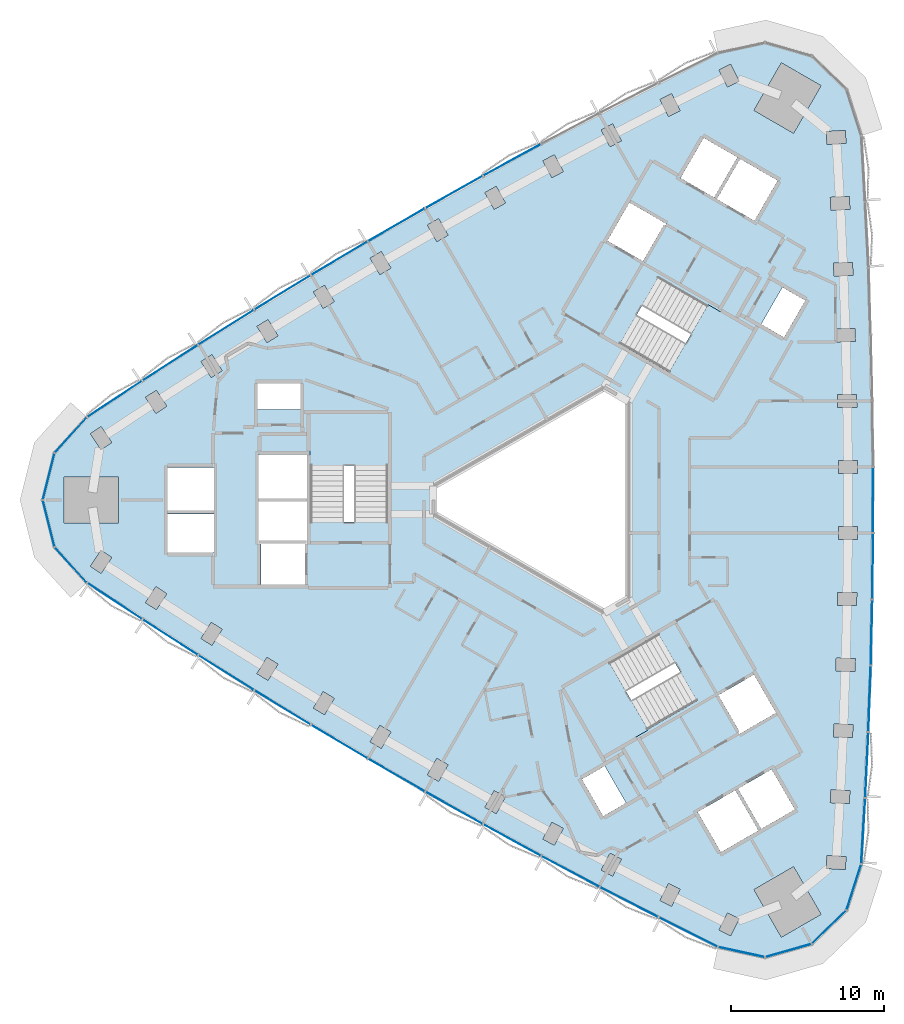
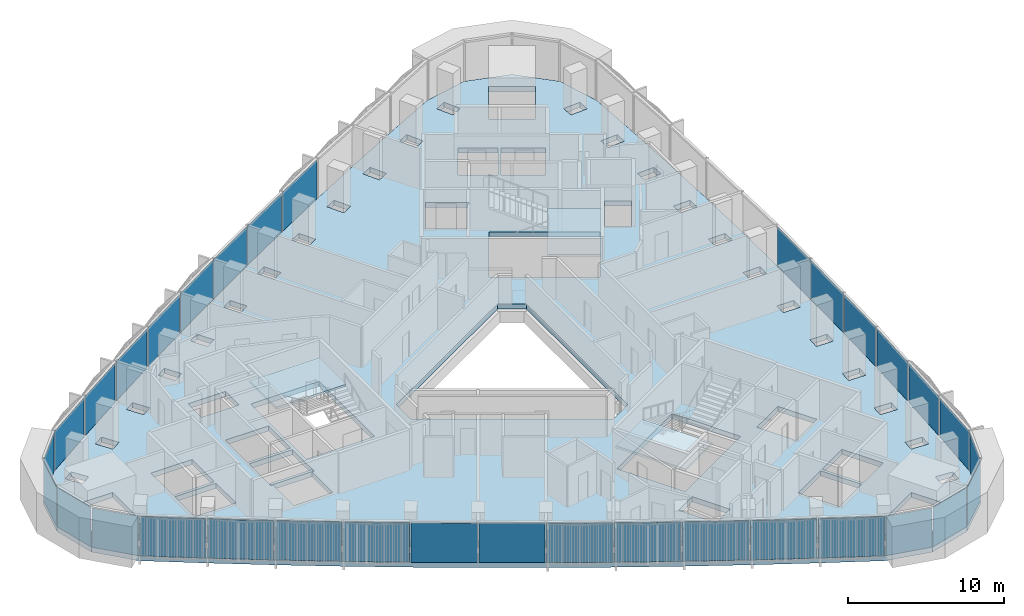
# One storey, part 6 of 15: 33 plates, 4 slabs, 6 elements without a shape of their own.
"""IFC4 building model written with IfcOpenShell, lengths in metres."""

from ifc_helpers import new_model, si_unit, direction, frame, origin, origin_2d, place, context, subcontext, project, spatial, polyline, rectangle, outline, extrude, material, layer, layer_set, type_object, element, aggregate, save


model = new_model("IFC4")

# Units and contexts
model_context = context("Model", 3, precision=1e-05, world=origin(), true_north=direction((0.0, 1.0)))
body_context = subcontext(model_context, "Body", "Model", "MODEL_VIEW")
ifc_project = project(units=[si_unit("LENGTHUNIT", "METRE"), si_unit("AREAUNIT", "SQUARE_METRE"), si_unit("VOLUMEUNIT", "CUBIC_METRE"), si_unit("PLANEANGLEUNIT", "RADIAN"), si_unit("MASSUNIT", "GRAM", prefix="KILO")], contexts=[model_context])

# Site, building, storey
site_placement = place(None, origin())
site = spatial("IfcSite", under=ifc_project, at=site_placement, CompositionType="ELEMENT")
building_placement = place(site_placement, origin())
building = spatial("IfcBuilding", under=site, at=building_placement, Name="Tamra Quay Hotel Tower", CompositionType="ELEMENT")
storey_placement = place(building_placement, frame((0.0, 0.0, 136.0)))
storey = spatial("IfcBuildingStorey", under=building, at=storey_placement, Name="L33", CompositionType="ELEMENT", Elevation=136.0)

# Stair, slab
ifc_material_1 = material(Name="Exit stair 2200 24 risers 150.0 going 342")
stair_type = type_object("IfcStairType", Name="Exit stair 2200 24 risers 150.0 going 342", PredefinedType="HALF_TURN_STAIR", material=ifc_material_1)
stair_1_placement = place(storey_placement, origin())
stair_1 = element("IfcStair", 1, at=stair_1_placement, inside=storey, type_object=stair_type, Name="L33 Exit stair ST3", PredefinedType="HALF_TURN_STAIR")
ifc_material_2 = material(Name="Concrete M70", Category="concrete")
ifc_layer_1 = layer(ifc_material_2, 0.175048828125)
ifc_layer_set_1 = layer_set([ifc_layer_1], Name="Concrete M70 stair landing 180")
slab_type_1 = type_object("IfcSlabType", Name="Concrete M70 stair landing 180", PredefinedType="LANDING", material=ifc_layer_set_1)
slab_1_placement = place(storey_placement, frame((0.0, 0.0, 1.625)))
slab_1 = element("IfcSlab", 2, at=slab_1_placement, type_object=slab_type_1, Name="ST3 landing 1", PredefinedType="LANDING", context=body_context, shape_type="SweptSolid", body=[
    extrude(outline(polyline([(-10.932373046875, 2.261962890625), (-10.932373046875, 5.679931640625), (-16.09130859375, 5.679931640625), (-16.09130859375, 2.261962890625), (-10.932373046875, 2.261962890625)])), origin(), (0.0, 0.0, 1.0), 0.175048828125),
])
aggregate(stair_1, [slab_1])

stair_2_placement = place(storey_placement, origin())
stair_2 = element("IfcStair", 3, at=stair_2_placement, inside=storey, type_object=stair_type, Name="L33 Exit stair ST1", PredefinedType="HALF_TURN_STAIR")
slab_2_placement = place(storey_placement, frame((0.0, 0.0, 1.625)))
slab_2 = element("IfcSlab", 4, at=slab_2_placement, type_object=slab_type_1, Name="ST1 landing 1", PredefinedType="LANDING", context=body_context, shape_type="SweptSolid", body=[
    extrude(outline(polyline([(7.425048828125, 8.336669921875), (10.385009765625, 6.627685546875), (12.964599609375, 11.095458984375), (10.00439453125, 12.804443359375), (7.425048828125, 8.336669921875)])), origin(), (0.0, 0.0, 1.0), 0.175048828125),
])
aggregate(stair_2, [slab_2])

stair_3_placement = place(storey_placement, origin())
stair_3 = element("IfcStair", 5, at=stair_3_placement, inside=storey, type_object=stair_type, Name="L33 Exit stair ST2", PredefinedType="HALF_TURN_STAIR")
slab_3_placement = place(storey_placement, frame((0.0, 0.0, 1.625)))
slab_3 = element("IfcSlab", 6, at=slab_3_placement, type_object=slab_type_1, Name="ST2 landing 1", PredefinedType="LANDING", context=body_context, shape_type="SweptSolid", body=[
    extrude(outline(polyline([(3.50732421875, -10.5986328125), (0.547119140625, -12.3076171875), (3.126708984375, -16.775390625), (6.086669921875, -15.06640625), (3.50732421875, -10.5986328125)])), origin(), (0.0, 0.0, 1.0), 0.175048828125),
])
aggregate(stair_3, [slab_3])

# Slab
ifc_material_3 = material(Name="Concrete M60", Category="concrete")
ifc_layer_2 = layer(ifc_material_3, 0.39990234375)
ifc_layer_set_2 = layer_set([ifc_layer_2], Name="FLOOR SLAB PT 400")
slab_type_2 = type_object("IfcSlabType", Name="FLOOR SLAB PT 400", PredefinedType="FLOOR", material=ifc_layer_set_2)
slab_4_placement = place(storey_placement, frame((0.0, 0.0, -0.39990234375)))
element("IfcSlab", 7, at=slab_4_placement, inside=storey, type_object=slab_type_2, Name="SLAB-L33", PredefinedType="FLOOR", context=body_context, shape_type="SweptSolid", body=[
    extrude(outline(polyline([(20.301025390625, 19.53076171875), (20.50830078125, 15.19384765625), (20.6640625, 10.85400390625), (20.767822265625, 6.5126953125), (20.81982421875, 2.17138671875), (20.81982421875, -2.17138671875), (20.767822265625, -6.5126953125), (20.6640625, -10.85400390625), (20.50830078125, -15.19384765625), (20.301025390625, -19.53076171875), (20.0419921875, -23.864990234375), (19.072265625, -26.883544921875), (16.794189453125, -29.088134765625), (13.74560546875, -29.958740234375), (10.646728515625, -29.28955078125), (6.763427734375, -27.3466796875), (2.904052734375, -25.35791015625), (-0.93212890625, -23.32275390625), (-4.74365234375, -21.24169921875), (-8.529541015625, -19.1162109375), (-12.290283203125, -16.94482421875), (-16.024169921875, -14.72900390625), (-19.73193359375, -12.468505859375), (-23.41259765625, -10.163818359375), (-27.064697265625, -7.81591796875), (-30.688720703125, -5.42431640625), (-32.81787109375, -3.0751953125), (-33.588134765625, 0.0), (-32.81787109375, 3.0751953125), (-30.688720703125, 5.42431640625), (-27.064697265625, 7.81591796875), (-23.41259765625, 10.163818359375), (-19.73193359375, 12.468505859375), (-16.024169921875, 14.72900390625), (-12.290283203125, 16.94482421875), (-8.529541015625, 19.1162109375), (-4.74365234375, 21.24169921875), (-0.93212890625, 23.32275390625), (2.904052734375, 25.35791015625), (6.763427734375, 27.3466796875), (10.646728515625, 29.28955078125), (13.74560546875, 29.958740234375), (16.794189453125, 29.088134765625), (19.072265625, 26.883544921875), (20.0419921875, 23.864990234375), (20.301025390625, 19.53076171875)]), holes=[polyline([(-12.1396484375, -15.846435546875), (-11.406005859375, -16.27587890625), (-10.7744140625, -15.197265625), (-11.5078125, -14.767578125), (-12.1396484375, -15.846435546875)]), polyline([(-15.216796875, -12.561279296875), (-15.86083984375, -13.632568359375), (-15.13232421875, -14.0703125), (-14.48828125, -12.9990234375), (-15.216796875, -12.561279296875)]), polyline([(-18.898193359375, -10.310791015625), (-19.55517578125, -11.3740234375), (-18.83203125, -11.82080078125), (-18.175048828125, -10.757568359375), (-18.898193359375, -10.310791015625)]), polyline([(-22.55224609375, -8.016357421875), (-23.222412109375, -9.071533203125), (-22.5048828125, -9.527099609375), (-21.834716796875, -8.471923828125), (-22.55224609375, -8.016357421875)]), polyline([(-26.179931640625, -5.678466796875), (-26.862060546875, -6.725830078125), (-26.149658203125, -7.189697265625), (-25.467529296875, -6.142333984375), (-26.179931640625, -5.678466796875)]), polyline([(-16.3173828125, -2.85498046875), (-19.4072265625, -2.85498046875), (-19.4072265625, -2.89306640625), (-19.307373046875, -2.89306640625), (-19.307373046875, -5.544921875), (-16.417236328125, -5.544921875), (-16.417236328125, -2.89306640625), (-16.3173828125, -2.89306640625), (-16.3173828125, -2.85498046875)]), polyline([(-29.77880859375, -3.297607421875), (-30.473388671875, -4.3369140625), (-29.7666015625, -4.80908203125), (-29.072021484375, -3.77001953125), (-29.77880859375, -3.297607421875)]), polyline([(-22.3671875, -0.905029296875), (-25.4072265625, -0.905029296875), (-25.4072265625, -3.445068359375), (-22.3671875, -3.445068359375), (-22.3671875, -0.905029296875)]), polyline([(-19.417236328125, -2.89306640625), (-19.417236328125, -2.64501953125), (-16.307373046875, -2.64501953125), (-16.307373046875, -2.89306640625), (-16.26708984375, -2.89306640625), (-16.26708984375, -0.10498046875), (-19.45751953125, -0.10498046875), (-19.45751953125, -2.89306640625), (-19.417236328125, -2.89306640625)]), polyline([(-28.6142578125, 1.5), (-32.214111328125, 1.5), (-32.214111328125, -1.5), (-28.6142578125, -1.5), (-28.6142578125, 1.5)]), polyline([(-25.4072265625, -0.695068359375), (-22.3671875, -0.695068359375), (-22.3671875, 2.14501953125), (-25.4072265625, 2.14501953125), (-25.4072265625, -0.695068359375)]), polyline([(-19.45751953125, 0.10498046875), (-16.26708984375, 0.10498046875), (-16.26708984375, 2.945068359375), (-19.45751953125, 2.945068359375), (-19.45751953125, 0.10498046875)]), polyline([(-16.036376953125, -1.455078125), (-10.9873046875, -1.455078125), (-10.9873046875, 5.625), (-16.036376953125, 5.625), (-16.036376953125, -1.455078125)]), polyline([(-29.072021484375, 3.77001953125), (-29.7666015625, 4.80908203125), (-30.473388671875, 4.3369140625), (-29.77880859375, 3.297607421875), (-29.072021484375, 3.77001953125)]), polyline([(-26.149658203125, 7.189697265625), (-26.862060546875, 6.725830078125), (-26.179931640625, 5.678466796875), (-25.467529296875, 6.142333984375), (-26.149658203125, 7.189697265625)]), polyline([(-16.71728515625, 7.64501953125), (-19.50732421875, 7.64501953125), (-19.50732421875, 5.9150390625), (-16.71728515625, 5.9150390625), (-16.71728515625, 7.64501953125)]), polyline([(-21.834716796875, 8.471923828125), (-22.5048828125, 9.527099609375), (-23.222412109375, 9.071533203125), (-22.55224609375, 8.016357421875), (-21.834716796875, 8.471923828125)]), polyline([(-18.175048828125, 10.757568359375), (-18.83203125, 11.82080078125), (-19.55517578125, 11.3740234375), (-18.898193359375, 10.310791015625), (-18.175048828125, 10.757568359375)]), polyline([(-14.48828125, 12.9990234375), (-15.13232421875, 14.0703125), (-15.86083984375, 13.632568359375), (-15.216796875, 12.561279296875), (-14.48828125, 12.9990234375)]), polyline([(7.414306640625, -25.126708984375), (6.848388671875, -26.2412109375), (7.606201171875, -26.626220703125), (8.17236328125, -25.51171875), (7.414306640625, -25.126708984375)]), polyline([(3.580322265625, -23.1455078125), (3.00146484375, -24.25341796875), (3.7548828125, -24.64697265625), (4.333740234375, -23.5390625), (3.580322265625, -23.1455078125)]), polyline([(-0.821044921875, -22.219482421875), (-0.072509765625, -22.622314453125), (0.519775390625, -21.521484375), (-0.228759765625, -21.118896484375), (-0.821044921875, -22.219482421875)]), polyline([(13.3056640625, -21.65576171875), (11.78564453125, -19.02294921875), (9.325927734375, -20.443115234375), (10.845947265625, -23.075927734375), (13.3056640625, -21.65576171875)]), polyline([(-4.01318359375, -19.046875), (-4.619140625, -20.14013671875), (-3.875732421875, -20.55224609375), (-3.269775390625, -19.458740234375), (-4.01318359375, -19.046875)]), polyline([(1.73779296875, -18.300048828125), (3.1328125, -20.71630859375), (4.631103515625, -19.851318359375), (3.236083984375, -17.43505859375), (1.73779296875, -18.300048828125)]), polyline([(-7.77392578125, -16.9296875), (-8.392333984375, -18.01611328125), (-7.653564453125, -18.436279296875), (-7.035400390625, -17.35009765625), (-7.77392578125, -16.9296875)]), polyline([(9.2783203125, -13.160400390625), (6.75390625, -8.78759765625), (0.622314453125, -12.32763671875), (3.146728515625, -16.7001953125), (9.2783203125, -13.160400390625)]), polyline([(3.199951171875, 7.39013671875), (-8.0, 0.923828125), (-8.0, -0.923828125), (3.199951171875, -7.39013671875), (4.800048828125, -6.46630859375), (4.800048828125, 6.46630859375), (3.199951171875, 7.39013671875)]), polyline([(4.2333984375, 10.242919921875), (10.364990234375, 6.702880859375), (12.889404296875, 11.075439453125), (6.758056640625, 14.615478515625), (4.2333984375, 10.242919921875)]), polyline([(-10.7744140625, 15.197265625), (-11.406005859375, 16.27587890625), (-12.1396484375, 15.846435546875), (-11.5078125, 14.767578125), (-10.7744140625, 15.197265625)]), polyline([(5.736083984375, 15.645263671875), (7.111083984375, 18.02685546875), (7.19775390625, 17.976806640625), (7.267578125, 18.09814453125), (4.8515625, 19.4931640625), (3.406494140625, 16.990234375), (5.736083984375, 15.645263671875)]), polyline([(-7.035400390625, 17.35009765625), (-7.653564453125, 18.436279296875), (-8.392333984375, 18.01611328125), (-7.77392578125, 16.9296875), (-7.035400390625, 17.35009765625)]), polyline([(-3.269775390625, 19.458740234375), (-3.875732421875, 20.55224609375), (-4.619140625, 20.14013671875), (-4.01318359375, 19.046875), (-3.269775390625, 19.458740234375)]), polyline([(8.2001953125, 21.093017578125), (10.39990234375, 19.822998046875), (11.919921875, 22.455810546875), (9.72021484375, 23.725830078125), (8.2001953125, 21.093017578125)]), polyline([(0.519775390625, 21.521484375), (-0.072509765625, 22.622314453125), (-0.821044921875, 22.219482421875), (-0.228759765625, 21.118896484375), (0.519775390625, 21.521484375)]), polyline([(3.7548828125, 24.64697265625), (3.00146484375, 24.25341796875), (3.580322265625, 23.1455078125), (4.333740234375, 23.5390625), (3.7548828125, 24.64697265625)]), polyline([(8.17236328125, 25.51171875), (7.606201171875, 26.626220703125), (6.848388671875, 26.2412109375), (7.414306640625, 25.126708984375), (8.17236328125, 25.51171875)]), polyline([(12.03369140625, 27.43798828125), (11.480712890625, 28.55908203125), (10.718505859375, 28.18310546875), (11.271240234375, 27.06201171875), (12.03369140625, 27.43798828125)]), polyline([(11.271240234375, -27.06201171875), (10.718505859375, -28.18310546875), (11.480712890625, -28.55908203125), (12.03369140625, -27.43798828125), (11.271240234375, -27.06201171875)]), polyline([(13.008056640625, -25.53076171875), (14.80810546875, -28.648193359375), (17.406005859375, -27.148193359375), (15.606201171875, -24.03076171875), (13.008056640625, -25.53076171875)]), polyline([(17.7451171875, -24.140380859375), (18.99267578125, -24.22216796875), (19.048095703125, -23.3740234375), (17.80078125, -23.292236328125), (17.7451171875, -24.140380859375)]), polyline([(14.1669921875, -17.648193359375), (11.96728515625, -18.91796875), (13.487548828125, -21.55078125), (15.68701171875, -20.281005859375), (14.1669921875, -17.648193359375)]), polyline([(19.255859375, -19.900146484375), (19.301513671875, -19.051513671875), (18.05322265625, -18.984375), (18.007568359375, -19.833251953125), (19.255859375, -19.900146484375)]), polyline([(18.218505859375, -15.5224609375), (19.46728515625, -15.5751953125), (19.50341796875, -14.72607421875), (18.25439453125, -14.67333984375), (18.218505859375, -15.5224609375)]), polyline([(10.68115234375, -12.790283203125), (12.05615234375, -15.171875), (11.969482421875, -15.2216796875), (12.03955078125, -15.343017578125), (14.455810546875, -13.947998046875), (13.0107421875, -11.4453125), (10.68115234375, -12.790283203125)]), polyline([(18.37841796875, -11.2109375), (19.627685546875, -11.248291015625), (19.6533203125, -10.398681640625), (18.40380859375, -10.361328125), (18.37841796875, -11.2109375)]), polyline([(18.48681640625, -6.897705078125), (19.736572265625, -6.919677734375), (19.75146484375, -6.06982421875), (18.501708984375, -6.0478515625), (18.48681640625, -6.897705078125)]), polyline([(18.543212890625, -2.582275390625), (19.793212890625, -2.590087890625), (19.79833984375, -1.739990234375), (18.54833984375, -1.732421875), (18.543212890625, -2.582275390625)]), polyline([(18.54833984375, 1.732421875), (19.79833984375, 1.739990234375), (19.793212890625, 2.590087890625), (18.543212890625, 2.582275390625), (18.54833984375, 1.732421875)]), polyline([(18.501708984375, 6.0478515625), (19.75146484375, 6.06982421875), (19.736572265625, 6.919677734375), (18.48681640625, 6.897705078125), (18.501708984375, 6.0478515625)]), polyline([(18.40380859375, 10.361328125), (19.6533203125, 10.398681640625), (19.627685546875, 11.248291015625), (18.37841796875, 11.2109375), (18.40380859375, 10.361328125)]), polyline([(14.9794921875, 10.655029296875), (16.37451171875, 13.0712890625), (14.876220703125, 13.936279296875), (13.481201171875, 11.52001953125), (14.9794921875, 10.655029296875)]), polyline([(18.25439453125, 14.67333984375), (19.50341796875, 14.72607421875), (19.46728515625, 15.5751953125), (18.218505859375, 15.5224609375), (18.25439453125, 14.67333984375)]), polyline([(18.05322265625, 18.984375), (19.301513671875, 19.051513671875), (19.255859375, 19.900146484375), (18.007568359375, 19.833251953125), (18.05322265625, 18.984375)]), polyline([(12.101806640625, 22.350830078125), (10.58154296875, 19.718017578125), (13.041259765625, 18.298095703125), (14.561279296875, 20.930908203125), (12.101806640625, 22.350830078125)]), polyline([(17.80078125, 23.292236328125), (19.048095703125, 23.3740234375), (18.99267578125, 24.22216796875), (17.7451171875, 24.140380859375), (17.80078125, 23.292236328125)]), polyline([(15.606201171875, 24.03076171875), (17.406005859375, 27.148193359375), (14.80810546875, 28.648193359375), (13.008056640625, 25.53076171875), (15.606201171875, 24.03076171875)])]), origin(), (0.0, 0.0, 1.0), 0.39990234375),
])

# Curtain wall, plates
ifc_material_4 = material(Name="Aluminium 6063 anodised dark grey", Category="aluminium")
curtain_wall_type_1 = type_object("IfcCurtainWallType", Name="CW1 CURTAIN WALL", PredefinedType="NOTDEFINED", material=ifc_material_4)
curtain_wall_1_placement = place(storey_placement, origin())
curtain_wall_1 = element("IfcCurtainWall", 8, at=curtain_wall_1_placement, inside=storey, type_object=curtain_wall_type_1, Name="CW1 east face L33", PredefinedType="NOTDEFINED")
ifc_material_5 = material(Name="Glass clear laminated low-iron", Category="glass")
ifc_layer_3 = layer(ifc_material_5, 0.031982421875)
ifc_layer_set_3 = layer_set([ifc_layer_3], Name="GLASS PANEL CW1 Z3")
plate_type_1 = type_object("IfcPlateType", Name="GLASS PANEL CW1 Z3", PredefinedType="CURTAIN_PANEL", material=ifc_layer_set_3)
plate_1_placement = place(storey_placement, frame((20.171630859375, -21.697998046875, 0.0), z_axis=(0.0, 0.0, 1.0), x_axis=(0.05964191564, 0.998219836458, 0.0)))
plate_1 = element("IfcPlate", 9, at=plate_1_placement, type_object=plate_type_1, Name="CW1 glass L33.E.1", PredefinedType="CURTAIN_PANEL", context=body_context, shape_type="SweptSolid", body=[
    extrude(rectangle(XDim=4.2421875, YDim=0.031982421875, at=origin_2d()), origin(), (0.0, 0.0, 1.0), 3.06005859375),
])
plate_2_placement = place(storey_placement, frame((20.40478515625, -17.3623046875, 0.0), z_axis=(0.0, 0.0, 1.0), x_axis=(0.04774710654, 0.998859456489, 0.0)))
plate_2 = element("IfcPlate", 10, at=plate_2_placement, type_object=plate_type_1, Name="CW1 glass L33.E.2", PredefinedType="CURTAIN_PANEL", context=body_context, shape_type="SweptSolid", body=[
    extrude(rectangle(XDim=4.24169921875, YDim=0.031982421875, at=origin_2d()), origin(), (0.0, 0.0, 1.0), 3.06005859375),
])
plate_3_placement = place(storey_placement, frame((20.586181640625, -13.02392578125, 0.0), z_axis=(0.0, 0.0, 1.0), x_axis=(0.03584493651, 0.999357363773, 0.0)))
plate_3 = element("IfcPlate", 11, at=plate_3_placement, type_object=plate_type_1, Name="CW1 glass L33.E.3", PredefinedType="CURTAIN_PANEL", context=body_context, shape_type="SweptSolid", body=[
    extrude(rectangle(XDim=4.24267578125, YDim=0.031982421875, at=origin_2d()), origin(), (0.0, 0.0, 1.0), 3.06005859375),
])
plate_4_placement = place(storey_placement, frame((20.716064453125, -8.683349609375, 0.0), z_axis=(0.0, 0.0, 1.0), x_axis=(0.023896183128, 0.999714445445, 0.0)))
plate_4 = element("IfcPlate", 12, at=plate_4_placement, type_object=plate_type_1, Name="CW1 glass L33.E.4", PredefinedType="CURTAIN_PANEL", context=body_context, shape_type="SweptSolid", body=[
    extrude(rectangle(XDim=4.24267578125, YDim=0.031982421875, at=origin_2d()), origin(), (0.0, 0.0, 1.0), 3.06005859375),
])
plate_5_placement = place(storey_placement, frame((20.793701171875, -4.342041015625, 0.0), z_axis=(0.0, 0.0, 1.0), x_axis=(0.011957026787, 0.9999285122, 0.0)))
plate_5 = element("IfcPlate", 13, at=plate_5_placement, type_object=plate_type_1, Name="CW1 glass L33.E.5", PredefinedType="CURTAIN_PANEL", context=body_context, shape_type="SweptSolid", body=[
    extrude(rectangle(XDim=4.24169921875, YDim=0.031982421875, at=origin_2d()), origin(), (0.0, 0.0, 1.0), 3.06005859375),
])
plate_6_placement = place(storey_placement, frame((20.81982421875, 0.0, 0.0), z_axis=(0.0, 0.0, 1.0), x_axis=(0.0, 1.0, 0.0)))
plate_6 = element("IfcPlate", 14, at=plate_6_placement, type_object=plate_type_1, Name="CW1 glass L33.E.6", PredefinedType="CURTAIN_PANEL", context=body_context, shape_type="SweptSolid", body=[
    extrude(rectangle(XDim=4.24267578125, YDim=0.031982421875, at=origin_2d()), origin(), (0.0, 0.0, 1.0), 3.06005859375),
])
aggregate(curtain_wall_1, [plate_1, plate_2, plate_3, plate_4, plate_5, plate_6])

curtain_wall_type_2 = type_object("IfcCurtainWallType", Name="CW2 CURTAIN WALL", PredefinedType="NOTDEFINED", material=ifc_material_4)
curtain_wall_2_placement = place(storey_placement, origin())
curtain_wall_2 = element("IfcCurtainWall", 15, at=curtain_wall_2_placement, inside=storey, type_object=curtain_wall_type_2, Name="CW2 north-west face L33", PredefinedType="NOTDEFINED")
ifc_layer_4 = layer(ifc_material_5, 0.031982421875)
ifc_layer_set_4 = layer_set([ifc_layer_4], Name="GLASS PANEL CW2 Z3")
plate_type_2 = type_object("IfcPlateType", Name="GLASS PANEL CW2 Z3", PredefinedType="CURTAIN_PANEL", material=ifc_layer_set_4)
plate_7_placement = place(storey_placement, frame((-2.837890625, 22.2822265625, 0.0), z_axis=(0.0, 0.0, 1.0), x_axis=(-0.87772619785, -0.47916252108, 0.0)))
plate_7 = element("IfcPlate", 16, at=plate_7_placement, type_object=plate_type_2, Name="CW2 glass L33.NW.4", PredefinedType="CURTAIN_PANEL", context=body_context, shape_type="SweptSolid", body=[
    extrude(rectangle(XDim=4.24267578125, YDim=0.031982421875, at=origin_2d()), origin(), (0.0, 0.0, 1.0), 3.06005859375),
])
plate_8_placement = place(storey_placement, frame((-6.636474609375, 20.178955078125, 0.0), z_axis=(0.0, 0.0, 1.0), x_axis=(-0.871942006927, -0.489609167149, 0.0)))
plate_8 = element("IfcPlate", 17, at=plate_8_placement, type_object=plate_type_2, Name="CW2 glass L33.NW.5", PredefinedType="CURTAIN_PANEL", context=body_context, shape_type="SweptSolid", body=[
    extrude(rectangle(XDim=4.24169921875, YDim=0.031982421875, at=origin_2d()), origin(), (0.0, 0.0, 1.0), 3.06005859375),
])
plate_9_placement = place(storey_placement, frame((-10.409912109375, 18.030517578125, 0.0), z_axis=(0.0, 0.0, 1.0), x_axis=(-0.866025403784, -0.5, 0.0)))
plate_9 = element("IfcPlate", 18, at=plate_9_placement, type_object=plate_type_2, Name="CW2 glass L33.NW.6", PredefinedType="CURTAIN_PANEL", context=body_context, shape_type="SweptSolid", body=[
    extrude(rectangle(XDim=4.24267578125, YDim=0.031982421875, at=origin_2d()), origin(), (0.0, 0.0, 1.0), 3.06005859375),
])
plate_10_placement = place(storey_placement, frame((-14.1572265625, 15.8369140625, 0.0), z_axis=(0.0, 0.0, 1.0), x_axis=(-0.85998498014, -0.510319345051, 0.0)))
plate_10 = element("IfcPlate", 19, at=plate_10_placement, type_object=plate_type_2, Name="CW2 glass L33.NW.7", PredefinedType="CURTAIN_PANEL", context=body_context, shape_type="SweptSolid", body=[
    extrude(rectangle(XDim=4.24169921875, YDim=0.031982421875, at=origin_2d()), origin(), (0.0, 0.0, 1.0), 3.06005859375),
])
plate_11_placement = place(storey_placement, frame((-17.8779296875, 13.598876953125, 0.0), z_axis=(0.0, 0.0, 1.0), x_axis=(-0.853830014722, -0.520551924365, 0.0)))
plate_11 = element("IfcPlate", 20, at=plate_11_placement, type_object=plate_type_2, Name="CW2 glass L33.NW.8", PredefinedType="CURTAIN_PANEL", context=body_context, shape_type="SweptSolid", body=[
    extrude(rectangle(XDim=4.24267578125, YDim=0.031982421875, at=origin_2d()), origin(), (0.0, 0.0, 1.0), 3.06005859375),
])
plate_12_placement = place(storey_placement, frame((-21.572265625, 11.316162109375, 0.0), z_axis=(0.0, 0.0, 1.0), x_axis=(-0.847546396231, -0.530721307501, 0.0)))
plate_12 = element("IfcPlate", 21, at=plate_12_placement, type_object=plate_type_2, Name="CW2 glass L33.NW.9", PredefinedType="CURTAIN_PANEL", context=body_context, shape_type="SweptSolid", body=[
    extrude(rectangle(XDim=4.24267578125, YDim=0.031982421875, at=origin_2d()), origin(), (0.0, 0.0, 1.0), 3.06005859375),
])
plate_13_placement = place(storey_placement, frame((-25.238525390625, 8.989990234375, 0.0), z_axis=(0.0, 0.0, 1.0), x_axis=(-0.841164110859, -0.540779935465, 0.0)))
plate_13 = element("IfcPlate", 22, at=plate_13_placement, type_object=plate_type_2, Name="CW2 glass L33.NW.10", PredefinedType="CURTAIN_PANEL", context=body_context, shape_type="SweptSolid", body=[
    extrude(rectangle(XDim=4.24169921875, YDim=0.031982421875, at=origin_2d()), origin(), (0.0, 0.0, 1.0), 3.06005859375),
])
plate_14_placement = place(storey_placement, frame((-28.876708984375, 6.6201171875, 0.0), z_axis=(0.0, 0.0, 1.0), x_axis=(-0.834662779115, -0.550761332303, 0.0)))
plate_14 = element("IfcPlate", 23, at=plate_14_placement, type_object=plate_type_2, Name="CW2 glass L33.NW.11", PredefinedType="CURTAIN_PANEL", context=body_context, shape_type="SweptSolid", body=[
    extrude(rectangle(XDim=4.2421875, YDim=0.031982421875, at=origin_2d()), origin(), (0.0, 0.0, 1.0), 3.06005859375),
])
plate_15_placement = place(storey_placement, frame((-31.75341796875, 4.25, 0.0), z_axis=(0.0, 0.0, 1.0), x_axis=(-0.671549804177, -0.740959418936, 0.0)))
plate_15 = element("IfcPlate", 24, at=plate_15_placement, type_object=plate_type_2, Name="CW2 glass L33.NW.12", PredefinedType="CURTAIN_PANEL", context=body_context, shape_type="SweptSolid", body=[
    extrude(rectangle(XDim=3.0703125, YDim=0.031982421875, at=origin_2d()), origin(), (0.0, 0.0, 1.0), 3.06005859375),
])
plate_16_placement = place(storey_placement, frame((-33.203125, 1.53759765625, 0.0), z_axis=(0.0, 0.0, 1.0), x_axis=(-0.242976186667, -0.970032253439, 0.0)))
plate_16 = element("IfcPlate", 25, at=plate_16_placement, type_object=plate_type_2, Name="CW2 glass L33.NW.13", PredefinedType="CURTAIN_PANEL", context=body_context, shape_type="SweptSolid", body=[
    extrude(rectangle(XDim=3.0703125, YDim=0.031982421875, at=origin_2d()), origin(), (0.0, 0.0, 1.0), 3.06005859375),
])
plate_17_placement = place(storey_placement, frame((-33.203125, -1.53759765625, 0.0), z_axis=(0.0, 0.0, 1.0), x_axis=(0.242976186667, -0.970032253439, 0.0)))
plate_17 = element("IfcPlate", 26, at=plate_17_placement, type_object=plate_type_2, Name="CW2 glass L33.NW.14", PredefinedType="CURTAIN_PANEL", context=body_context, shape_type="SweptSolid", body=[
    extrude(rectangle(XDim=3.0703125, YDim=0.031982421875, at=origin_2d()), origin(), (0.0, 0.0, 1.0), 3.06005859375),
])
plate_18_placement = place(storey_placement, frame((-31.75341796875, -4.25, 0.0), z_axis=(0.0, 0.0, 1.0), x_axis=(0.671549804177, -0.740959418936, 0.0)))
plate_18 = element("IfcPlate", 27, at=plate_18_placement, type_object=plate_type_2, Name="CW2 glass L33.NW.15", PredefinedType="CURTAIN_PANEL", context=body_context, shape_type="SweptSolid", body=[
    extrude(rectangle(XDim=3.0703125, YDim=0.031982421875, at=origin_2d()), origin(), (0.0, 0.0, 1.0), 3.06005859375),
])
aggregate(curtain_wall_2, [plate_7, plate_8, plate_9, plate_10, plate_11, plate_12, plate_13, plate_14, plate_15, plate_16, plate_17, plate_18])

curtain_wall_type_3 = type_object("IfcCurtainWallType", Name="CW3 CURTAIN WALL", PredefinedType="NOTDEFINED", material=ifc_material_4)
curtain_wall_3_placement = place(storey_placement, origin())
curtain_wall_3 = element("IfcCurtainWall", 28, at=curtain_wall_3_placement, inside=storey, type_object=curtain_wall_type_3, Name="CW3 south-west face L33", PredefinedType="NOTDEFINED")
ifc_layer_5 = layer(ifc_material_5, 0.031982421875)
ifc_layer_set_5 = layer_set([ifc_layer_5], Name="GLASS PANEL CW3 Z3")
plate_type_3 = type_object("IfcPlateType", Name="GLASS PANEL CW3 Z3", PredefinedType="CURTAIN_PANEL", material=ifc_layer_set_5)
plate_19_placement = place(storey_placement, frame((-28.876708984375, -6.6201171875, 0.0), z_axis=(0.0, 0.0, 1.0), x_axis=(0.834662779115, -0.550761332303, 0.0)))
plate_19 = element("IfcPlate", 29, at=plate_19_placement, type_object=plate_type_3, Name="CW3 glass L33.SW.1", PredefinedType="CURTAIN_PANEL", context=body_context, shape_type="SweptSolid", body=[
    extrude(rectangle(XDim=4.2421875, YDim=0.031982421875, at=origin_2d()), origin(), (0.0, 0.0, 1.0), 3.06005859375),
])
plate_20_placement = place(storey_placement, frame((-25.238525390625, -8.989990234375, 0.0), z_axis=(0.0, 0.0, 1.0), x_axis=(0.841164110859, -0.540779935465, 0.0)))
plate_20 = element("IfcPlate", 30, at=plate_20_placement, type_object=plate_type_3, Name="CW3 glass L33.SW.2", PredefinedType="CURTAIN_PANEL", context=body_context, shape_type="SweptSolid", body=[
    extrude(rectangle(XDim=4.24169921875, YDim=0.031982421875, at=origin_2d()), origin(), (0.0, 0.0, 1.0), 3.06005859375),
])
plate_21_placement = place(storey_placement, frame((-21.572265625, -11.316162109375, 0.0), z_axis=(0.0, 0.0, 1.0), x_axis=(0.847546396231, -0.530721307501, 0.0)))
plate_21 = element("IfcPlate", 31, at=plate_21_placement, type_object=plate_type_3, Name="CW3 glass L33.SW.3", PredefinedType="CURTAIN_PANEL", context=body_context, shape_type="SweptSolid", body=[
    extrude(rectangle(XDim=4.24267578125, YDim=0.031982421875, at=origin_2d()), origin(), (0.0, 0.0, 1.0), 3.06005859375),
])
plate_22_placement = place(storey_placement, frame((-17.8779296875, -13.598876953125, 0.0), z_axis=(0.0, 0.0, 1.0), x_axis=(0.853830014722, -0.520551924365, 0.0)))
plate_22 = element("IfcPlate", 32, at=plate_22_placement, type_object=plate_type_3, Name="CW3 glass L33.SW.4", PredefinedType="CURTAIN_PANEL", context=body_context, shape_type="SweptSolid", body=[
    extrude(rectangle(XDim=4.24267578125, YDim=0.031982421875, at=origin_2d()), origin(), (0.0, 0.0, 1.0), 3.06005859375),
])
plate_23_placement = place(storey_placement, frame((-14.1572265625, -15.8369140625, 0.0), z_axis=(0.0, 0.0, 1.0), x_axis=(0.85998498014, -0.510319345051, 0.0)))
plate_23 = element("IfcPlate", 33, at=plate_23_placement, type_object=plate_type_3, Name="CW3 glass L33.SW.5", PredefinedType="CURTAIN_PANEL", context=body_context, shape_type="SweptSolid", body=[
    extrude(rectangle(XDim=4.24169921875, YDim=0.031982421875, at=origin_2d()), origin(), (0.0, 0.0, 1.0), 3.06005859375),
])
plate_24_placement = place(storey_placement, frame((-10.409912109375, -18.030517578125, 0.0), z_axis=(0.0, 0.0, 1.0), x_axis=(0.866025403784, -0.5, 0.0)))
plate_24 = element("IfcPlate", 34, at=plate_24_placement, type_object=plate_type_3, Name="CW3 glass L33.SW.6", PredefinedType="CURTAIN_PANEL", context=body_context, shape_type="SweptSolid", body=[
    extrude(rectangle(XDim=4.24267578125, YDim=0.031982421875, at=origin_2d()), origin(), (0.0, 0.0, 1.0), 3.06005859375),
])
plate_25_placement = place(storey_placement, frame((-6.636474609375, -20.178955078125, 0.0), z_axis=(0.0, 0.0, 1.0), x_axis=(0.871942006927, -0.489609167149, 0.0)))
plate_25 = element("IfcPlate", 35, at=plate_25_placement, type_object=plate_type_3, Name="CW3 glass L33.SW.7", PredefinedType="CURTAIN_PANEL", context=body_context, shape_type="SweptSolid", body=[
    extrude(rectangle(XDim=4.24169921875, YDim=0.031982421875, at=origin_2d()), origin(), (0.0, 0.0, 1.0), 3.06005859375),
])
plate_26_placement = place(storey_placement, frame((-2.837890625, -22.2822265625, 0.0), z_axis=(0.0, 0.0, 1.0), x_axis=(0.87772619785, -0.47916252108, 0.0)))
plate_26 = element("IfcPlate", 36, at=plate_26_placement, type_object=plate_type_3, Name="CW3 glass L33.SW.8", PredefinedType="CURTAIN_PANEL", context=body_context, shape_type="SweptSolid", body=[
    extrude(rectangle(XDim=4.24267578125, YDim=0.031982421875, at=origin_2d()), origin(), (0.0, 0.0, 1.0), 3.06005859375),
])
plate_27_placement = place(storey_placement, frame((0.986083984375, -24.34033203125, 0.0), z_axis=(0.0, 0.0, 1.0), x_axis=(0.883391332741, -0.468636056272, 0.0)))
plate_27 = element("IfcPlate", 37, at=plate_27_placement, type_object=plate_type_3, Name="CW3 glass L33.SW.9", PredefinedType="CURTAIN_PANEL", context=body_context, shape_type="SweptSolid", body=[
    extrude(rectangle(XDim=4.24267578125, YDim=0.031982421875, at=origin_2d()), origin(), (0.0, 0.0, 1.0), 3.06005859375),
])
plate_28_placement = place(storey_placement, frame((4.833740234375, -26.352294921875, 0.0), z_axis=(0.0, 0.0, 1.0), x_axis=(0.8889112174, -0.458079521023, 0.0)))
plate_28 = element("IfcPlate", 38, at=plate_28_placement, type_object=plate_type_3, Name="CW3 glass L33.SW.10", PredefinedType="CURTAIN_PANEL", context=body_context, shape_type="SweptSolid", body=[
    extrude(rectangle(XDim=4.24169921875, YDim=0.031982421875, at=origin_2d()), origin(), (0.0, 0.0, 1.0), 3.06005859375),
])
plate_29_placement = place(storey_placement, frame((8.705078125, -28.318115234375, 0.0), z_axis=(0.0, 0.0, 1.0), x_axis=(0.894304694754, -0.447458504155, 0.0)))
plate_29 = element("IfcPlate", 39, at=plate_29_placement, type_object=plate_type_3, Name="CW3 glass L33.SW.11", PredefinedType="CURTAIN_PANEL", context=body_context, shape_type="SweptSolid", body=[
    extrude(rectangle(XDim=4.2421875, YDim=0.031982421875, at=origin_2d()), origin(), (0.0, 0.0, 1.0), 3.06005859375),
])
plate_30_placement = place(storey_placement, frame((12.196044921875, -29.624267578125, 0.0), z_axis=(0.0, 0.0, 1.0), x_axis=(0.97746458206, -0.211099480856, 0.0)))
plate_30 = element("IfcPlate", 40, at=plate_30_placement, type_object=plate_type_3, Name="CW3 glass L33.SW.12", PredefinedType="CURTAIN_PANEL", context=body_context, shape_type="SweptSolid", body=[
    extrude(rectangle(XDim=3.0703125, YDim=0.031982421875, at=origin_2d()), origin(), (0.0, 0.0, 1.0), 3.06005859375),
])
plate_31_placement = place(storey_placement, frame((15.269775390625, -29.5234375, 0.0), z_axis=(0.0, 0.0, 1.0), x_axis=(0.961560667302, 0.274592576551, 0.0)))
plate_31 = element("IfcPlate", 41, at=plate_31_placement, type_object=plate_type_3, Name="CW3 glass L33.SW.13", PredefinedType="CURTAIN_PANEL", context=body_context, shape_type="SweptSolid", body=[
    extrude(rectangle(XDim=3.0703125, YDim=0.031982421875, at=origin_2d()), origin(), (0.0, 0.0, 1.0), 3.06005859375),
])
plate_32_placement = place(storey_placement, frame((17.93310546875, -27.98583984375, 0.0), z_axis=(0.0, 0.0, 1.0), x_axis=(0.718584480635, 0.695439676888, 0.0)))
plate_32 = element("IfcPlate", 42, at=plate_32_placement, type_object=plate_type_3, Name="CW3 glass L33.SW.14", PredefinedType="CURTAIN_PANEL", context=body_context, shape_type="SweptSolid", body=[
    extrude(rectangle(XDim=3.0703125, YDim=0.031982421875, at=origin_2d()), origin(), (0.0, 0.0, 1.0), 3.06005859375),
])
plate_33_placement = place(storey_placement, frame((19.55712890625, -25.374267578125, 0.0), z_axis=(0.0, 0.0, 1.0), x_axis=(0.305914777883, 0.952058899792, 0.0)))
plate_33 = element("IfcPlate", 43, at=plate_33_placement, type_object=plate_type_3, Name="CW3 glass L33.SW.15", PredefinedType="CURTAIN_PANEL", context=body_context, shape_type="SweptSolid", body=[
    extrude(rectangle(XDim=3.0703125, YDim=0.031982421875, at=origin_2d()), origin(), (0.0, 0.0, 1.0), 3.06005859375),
])
aggregate(curtain_wall_3, [plate_19, plate_20, plate_21, plate_22, plate_23, plate_24, plate_25, plate_26, plate_27, plate_28, plate_29, plate_30, plate_31, plate_32, plate_33])

save(model, "model.ifc")
